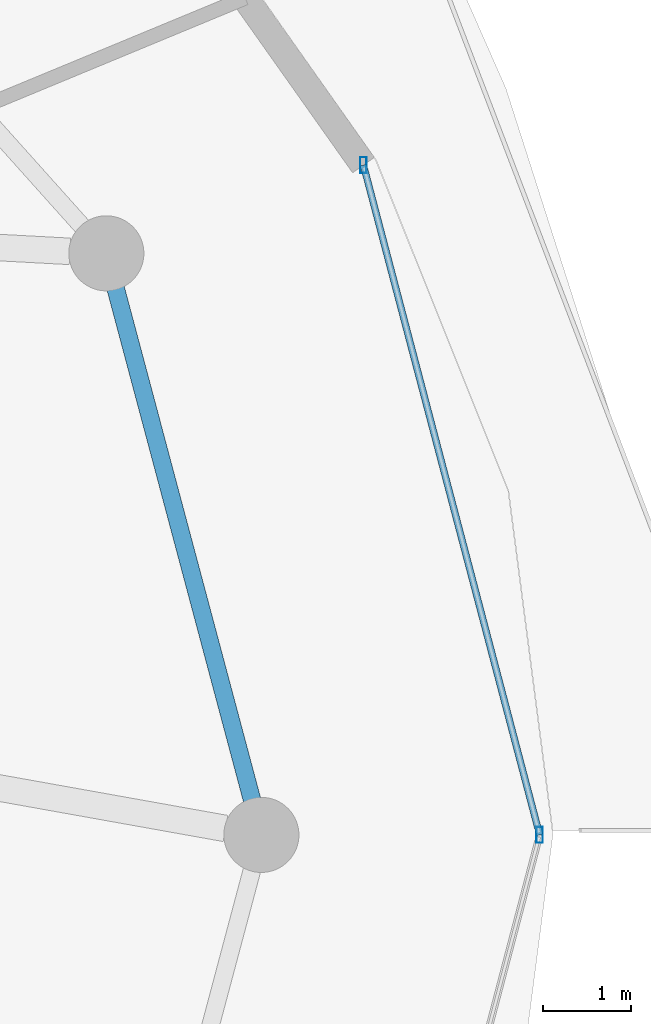
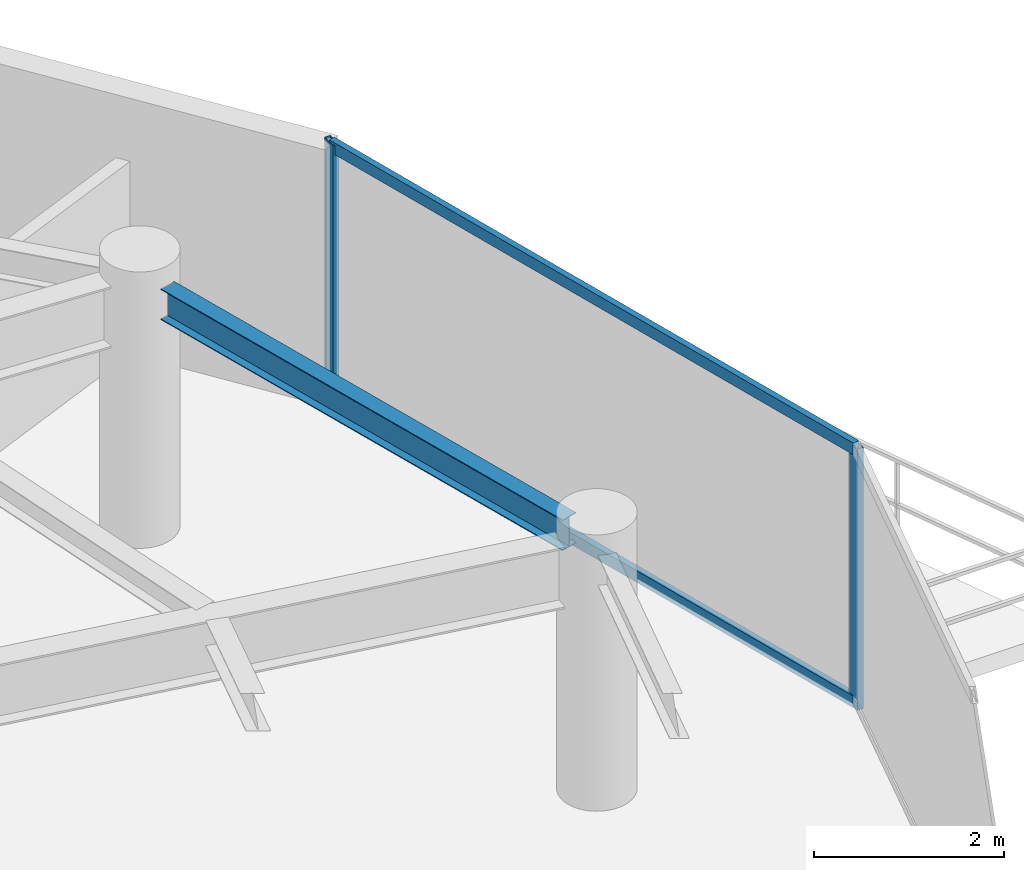
# One storey, part 16 of 32: 4 members, 1 beam, 1 element without a shape of its own.
"""IFC4 building model written with IfcOpenShell, lengths in metres."""

from ifc_helpers import new_model, si_unit, direction, frame, origin, origin_2d, place, context, subcontext, project, spatial, hollow_rectangle, i_section, extrude, material, material_profile, profile_set, type_object, element, aggregate, save


model = new_model("IFC4")

# Units and contexts
model_context = context("Model", 3, precision=1e-05, world=origin(), true_north=direction((0.0, 1.0)))
body_context = subcontext(model_context, "Body", "Model", "MODEL_VIEW")
ifc_project = project(units=[si_unit("LENGTHUNIT", "METRE"), si_unit("AREAUNIT", "SQUARE_METRE"), si_unit("VOLUMEUNIT", "CUBIC_METRE"), si_unit("PLANEANGLEUNIT", "RADIAN"), si_unit("MASSUNIT", "GRAM", prefix="KILO")], contexts=[model_context])

# Site, building, storey
site_placement = place(None, origin())
site = spatial("IfcSite", under=ifc_project, at=site_placement, CompositionType="ELEMENT")
building_placement = place(site_placement, origin())
building = spatial("IfcBuilding", under=site, at=building_placement, Name="Vorneva Point Tower", CompositionType="ELEMENT")
storey_placement = place(building_placement, frame((0.0, 0.0, 269.75)))
storey = spatial("IfcBuildingStorey", under=building, at=storey_placement, Name="L73", CompositionType="ELEMENT", Elevation=269.75)

# Beam
ifc_material_1 = material(Name="Steel S355", Category="steel")
ifc_material_profile_1 = material_profile(ifc_material_1, i_section(OverallWidth=0.198974609375, OverallDepth=0.39599609375, WebThickness=0.007080078125, FlangeThickness=0.010986328125, at=origin_2d()), Name="40B1")
ifc_profile_set_1 = profile_set([ifc_material_profile_1], Name="Steel S355")
beam_type = type_object("IfcBeamType", Name="BM-SPN-40B1", PredefinedType="SPANDREL", material=ifc_profile_set_1)
beam_placement = place(storey_placement, frame((60.9443359375, 26.396240234375, 3.092041015625), z_axis=(-0.257586570866, 0.966255224312, 0.0), x_axis=(-0.966255224312, -0.257586570866, 0.0)))
element("IfcBeam", 1, at=beam_placement, inside=storey, type_object=beam_type, Name="L73 Perimeter Spandrel Ring Beam 01", PredefinedType="SPANDREL", context=body_context, shape_type="SweptSolid", body=[
    extrude(i_section(OverallWidth=0.198974609375, OverallDepth=0.39599609375, WebThickness=0.007080078125, FlangeThickness=0.010986328125, at=origin_2d()), origin(), (0.0, 0.0, 1.0), 5.991943359375),
])

# Curtain wall, members
ifc_material_2 = material(Name="Pale anodised aluminium", Category="aluminium")
curtain_wall_type = type_object("IfcCurtainWallType", Name="CW-RES-SYS", PredefinedType="NOTDEFINED", material=ifc_material_2)
curtain_wall_placement = place(storey_placement, origin())
curtain_wall = element("IfcCurtainWall", 2, at=curtain_wall_placement, inside=storey, type_object=curtain_wall_type, Name="L73 Unitised Curtain Wall CW-L73-R01", PredefinedType="NOTDEFINED")
ifc_material_profile_2 = material_profile(ifc_material_2, hollow_rectangle(XDim=0.074951171875, YDim=0.179931640625, WallThickness=0.00390625, at=origin_2d()), Name="AL-MUL 180x75x4")
ifc_profile_set_2 = profile_set([ifc_material_profile_2], Name="Pale anodised aluminium")
member_type_1 = type_object("IfcMemberType", Name="CW-MUL-180", PredefinedType="MULLION", material=ifc_profile_set_2)
member_1_placement = place(storey_placement, frame((64.199951171875, 26.0, -0.0400390625), z_axis=(0.0, 0.0, 1.0), x_axis=(1.0, 0.0, 0.0)))
member_1 = element("IfcMember", 3, at=member_1_placement, type_object=member_type_1, Name="CW-L73-R01 Mullion 03", PredefinedType="MULLION", context=body_context, shape_type="SweptSolid", body=[
    extrude(hollow_rectangle(XDim=0.074951171875, YDim=0.179931640625, WallThickness=0.00390625, at=origin_2d()), origin(), (0.0, 0.0, 1.0), 3.360107421875),
])
member_2_placement = place(storey_placement, frame((62.20556640625, 33.5810546875, -0.0400390625), z_axis=(0.0, 0.0, 1.0), x_axis=(1.0, 0.0, 0.0)))
member_2 = element("IfcMember", 4, at=member_2_placement, type_object=member_type_1, Name="CW-L73-R01 Mullion 04", PredefinedType="MULLION", context=body_context, shape_type="SweptSolid", body=[
    extrude(hollow_rectangle(XDim=0.074951171875, YDim=0.179931640625, WallThickness=0.00390625, at=origin_2d()), origin(), (0.0, 0.0, 1.0), 3.360107421875),
])
ifc_material_profile_3 = material_profile(ifc_material_2, hollow_rectangle(XDim=0.074951171875, YDim=0.14990234375, WallThickness=0.00390625, at=origin_2d()), Name="AL-TRN 150x75x4")
ifc_profile_set_3 = profile_set([ifc_material_profile_3], Name="Pale anodised aluminium")
member_type_2 = type_object("IfcMemberType", Name="CW-TRN-150", PredefinedType="USERDEFINED", material=ifc_profile_set_3)
member_3_placement = place(storey_placement, frame((64.199951171875, 26.0, 0.02001953125), z_axis=(-0.254418180926, 0.967094302131, 0.0), x_axis=(-0.967094302131, -0.254418180926, 0.0)))
member_3 = element("IfcMember", 5, at=member_3_placement, type_object=member_type_2, Name="CW-L73-R01 Transom 03.1", ObjectType="TRANSOM", PredefinedType="USERDEFINED", context=body_context, shape_type="SweptSolid", body=[
    extrude(hollow_rectangle(XDim=0.074951171875, YDim=0.14990234375, WallThickness=0.00390625, at=origin_2d()), origin(), (0.0, 0.0, 1.0), 7.839111328125),
])
member_4_placement = place(storey_placement, frame((64.199951171875, 26.0, 3.27001953125), z_axis=(-0.254418180926, 0.967094302131, 0.0), x_axis=(-0.967094302131, -0.254418180926, 0.0)))
member_4 = element("IfcMember", 6, at=member_4_placement, type_object=member_type_2, Name="CW-L73-R01 Transom 03.2", ObjectType="TRANSOM", PredefinedType="USERDEFINED", context=body_context, shape_type="SweptSolid", body=[
    extrude(hollow_rectangle(XDim=0.074951171875, YDim=0.14990234375, WallThickness=0.00390625, at=origin_2d()), origin(), (0.0, 0.0, 1.0), 7.839111328125),
])
aggregate(curtain_wall, [member_1, member_2, member_3, member_4])

save(model, "model.ifc")
